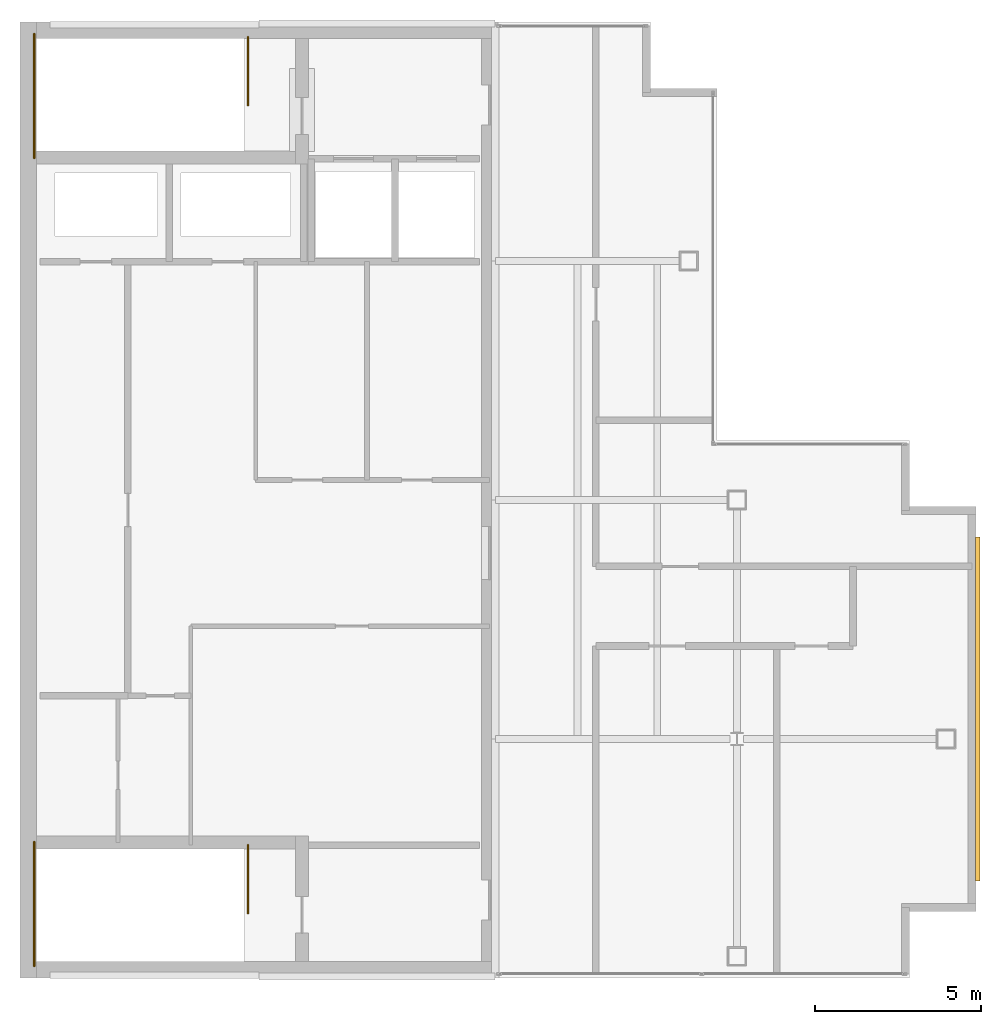
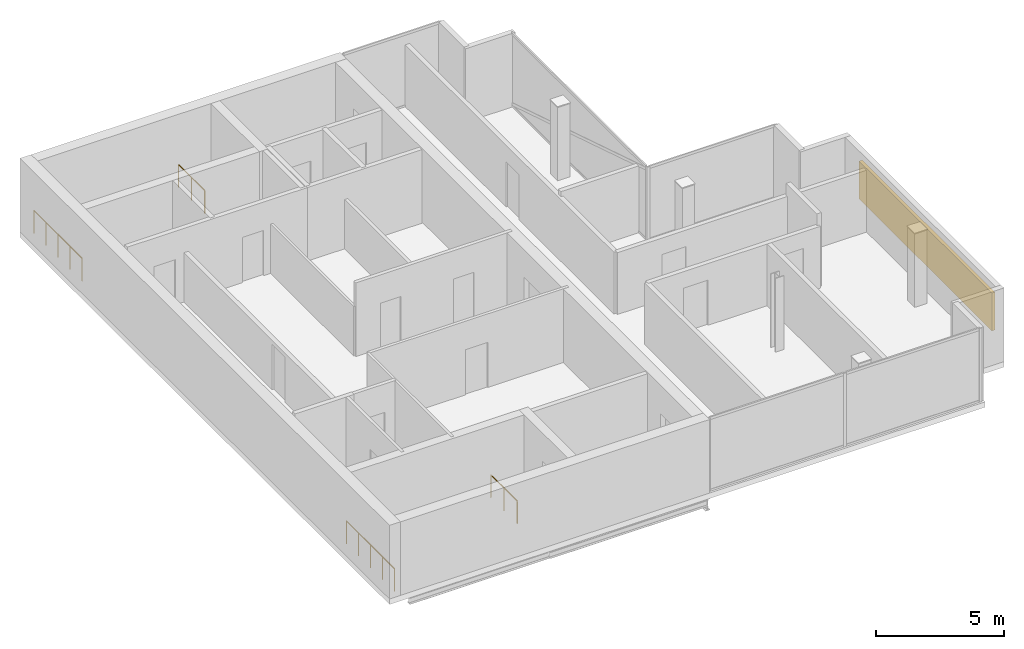
# One storey, part 15 of 15: 4 railings, 1 shading device.
"""IFC4 building model written with IfcOpenShell, lengths in metres."""

import ifcopenshell
import ifcopenshell.guid

model = None  # the IFC model being written
_history = None  # IfcOwnerHistory: only IFC2X3 demands one
_inside = {}  # id of a spatial element -> (the spatial element, [elements in it])
_under = {}  # id of a project, library or spatial element -> (it, [spatial elements below it])
_declared = {}  # id of a project -> (the project, [libraries it declares])
_typed = {}  # id of a type object -> (the type object, [elements of that type])
_made_of = {}  # id of a material, layer set ... -> (it, [elements and type objects made of it])


def new_model(schema):
    """Start an empty IFC model of exactly this schema.

    Asked for "IFC4X3", IfcOpenShell would pick the latest addendum, in which some entities
    have other attributes; the version numbers below select the first issue.
    IFC2X3 requires an IfcOwnerHistory on every rooted entity: one is made here for all.
    """
    global model, _history
    if schema == "IFC4X3":
        model = ifcopenshell.file(schema_version=(4, 3, 0, 0))
    else:
        model = ifcopenshell.file(schema=schema)
    _inside.clear()
    _under.clear()
    _declared.clear()
    _typed.clear()
    _made_of.clear()
    _history = None
    if model.schema == "IFC2X3":
        org = make("IfcOrganization", Name="unknown")
        user = make(
            "IfcPersonAndOrganization",
            ThePerson=make("IfcPerson", FamilyName="unknown"),
            TheOrganization=org,
        )
        app = make(
            "IfcApplication",
            ApplicationDeveloper=org,
            Version="unknown",
            ApplicationFullName="unknown",
            ApplicationIdentifier="unknown",
        )
        _history = make(
            "IfcOwnerHistory",
            OwningUser=user,
            OwningApplication=app,
            ChangeAction="ADDED",
            CreationDate=0,
        )
    return model


def make(cls, **values):
    """One entity of the class cls with the attributes given. An attribute that is None is left unset."""
    return model.create_entity(
        cls, **{name: value for name, value in values.items() if value is not None}
    )


def rooted(cls, **values):
    """An entity with a GlobalId (a new one), such as an element, a storey or a relation."""
    return make(cls, GlobalId=ifcopenshell.guid.new(), OwnerHistory=_history, **values)


def si_unit(unit_type, name, prefix=None):
    """IfcSIUnit, for example si_unit("LENGTHUNIT", "METRE", prefix="MILLI")."""
    return make("IfcSIUnit", UnitType=unit_type, Prefix=prefix, Name=name)


def assignment(units):
    """IfcUnitAssignment: the units of a project."""
    return None if units is None else make("IfcUnitAssignment", Units=units)


def point(xyz):
    """IfcCartesianPoint."""
    return None if xyz is None else make("IfcCartesianPoint", Coordinates=xyz)


def direction(xyz):
    """IfcDirection."""
    return None if xyz is None else make("IfcDirection", DirectionRatios=xyz)


def frame(location, z_axis=None, x_axis=None):
    """IfcAxis2Placement3D, a coordinate frame: its origin and axes. An axis left out is left unset."""
    return make(
        "IfcAxis2Placement3D",
        Location=point(location),
        Axis=direction(z_axis),
        RefDirection=direction(x_axis),
    )


def frame_2d(location, x_axis=None):
    """IfcAxis2Placement2D, a coordinate frame in the plane: its origin and x axis."""
    return make(
        "IfcAxis2Placement2D", Location=point(location), RefDirection=direction(x_axis)
    )


def origin():
    """The frame at (0, 0, 0) with its axes left unset."""
    return frame((0.0, 0.0, 0.0))


def origin_2d():
    """The frame at (0, 0) in the plane with its x axis left unset."""
    return frame_2d((0.0, 0.0))


def place(relative_to, where):
    """IfcLocalPlacement: puts the frame where relative to a parent placement (None: the world)."""
    return make(
        "IfcLocalPlacement", PlacementRelTo=relative_to, RelativePlacement=where
    )


def context(
    kind, dimensions, precision=None, world=None, true_north=None, identifier=None
):
    """IfcGeometricRepresentationContext, for example the 3D "Model" context."""
    return make(
        "IfcGeometricRepresentationContext",
        ContextIdentifier=identifier,
        ContextType=kind,
        CoordinateSpaceDimension=dimensions,
        Precision=precision,
        WorldCoordinateSystem=world,
        TrueNorth=true_north,
    )


def subcontext(parent, identifier, kind, view, scale=None):
    """IfcGeometricRepresentationSubContext, for example "Body" below "Model"."""
    return make(
        "IfcGeometricRepresentationSubContext",
        ContextIdentifier=identifier,
        ContextType=kind,
        ParentContext=parent,
        TargetScale=scale,
        TargetView=view,
    )


def project(units=None, contexts=None):
    """IfcProject with its units and contexts."""
    return rooted(
        "IfcProject",
        Name="project",
        RepresentationContexts=contexts,
        UnitsInContext=assignment(units),
    )


def spatial(cls, under=None, at=None, **own):
    """A site, building, storey or space (cls), placed at a placement, below another one or the project."""
    s = rooted(cls, ObjectPlacement=at, **own)
    if under is not None:
        _under.setdefault(under.id(), (under, []))[1].append(s)
    return s


def polyline(points):
    """IfcPolyline through the points."""
    return make("IfcPolyline", Points=[point(p) for p in points])


def profile(cls, at=None, kind="AREA", **sizes):
    """A parametric profile (cls). Its sizes go by their IFC names, for example OverallWidth=200.0."""
    return make(cls, ProfileType=kind, Position=at, **sizes)


def circle(**sizes):
    """IfcCircleProfileDef."""
    return profile("IfcCircleProfileDef", **sizes)


def outline(outer, holes=None, kind="AREA"):
    """IfcArbitraryClosedProfileDef: a profile drawn as a closed curve; with holes, ...WithVoids."""
    if holes is None:
        return make("IfcArbitraryClosedProfileDef", ProfileType=kind, OuterCurve=outer)
    return make(
        "IfcArbitraryProfileDefWithVoids",
        ProfileType=kind,
        OuterCurve=outer,
        InnerCurves=holes,
    )


def extrude(swept, where, along, depth):
    """IfcExtrudedAreaSolid: the profile swept, set in the frame where, extruded along a direction by depth."""
    return make(
        "IfcExtrudedAreaSolid",
        SweptArea=swept,
        Position=where,
        ExtrudedDirection=direction(along),
        Depth=depth,
    )


def shape(context_of_items, identifier, shape_type, items):
    """IfcShapeRepresentation: the items that make up one representation, for example the "Body"."""
    return make(
        "IfcShapeRepresentation",
        ContextOfItems=context_of_items,
        RepresentationIdentifier=identifier,
        RepresentationType=shape_type,
        Items=items,
    )


def material(Name=None, Category=None):
    """IfcMaterial."""
    return make("IfcMaterial", Name=Name, Category=Category)


def layer(
    of_material, thickness, ventilated=None, Name=None, Category=None, Priority=None
):
    """IfcMaterialLayer: one layer of a wall or slab, of a material (None: an air gap)."""
    return make(
        "IfcMaterialLayer",
        Material=of_material,
        LayerThickness=thickness,
        IsVentilated=ventilated,
        Name=Name,
        Category=Category,
        Priority=Priority,
    )


def layer_set(layers, Name=None):
    """IfcMaterialLayerSet."""
    return make("IfcMaterialLayerSet", MaterialLayers=layers, LayerSetName=Name)


def made_of(thing, what):
    """Note that an element or type object is made of a material, layer set ...; save() writes the relation."""
    if what is not None:
        _made_of.setdefault(what.id(), (what, []))[1].append(thing)
    return thing


def type_object(cls, material=None, **own):
    """A type object (cls), such as IfcWallType, which elements share."""
    return made_of(rooted(cls, **own), material)


def element(
    cls,
    number,
    at=None,
    inside=None,
    cuts=None,
    type_object=None,
    material=None,
    context=None,
    identifier="Body",
    shape_type=None,
    held_by="IfcProductDefinitionShape",
    body=None,
    shapes=None,
    **own,
):
    """One element of the class cls, such as IfcWall. Its Tag is "e" and its number.

    at: its placement. inside: the storey or other place that contains it. cuts: it is an
    opening in that element (IfcRelVoidsElement). A single representation is given by context,
    identifier, shape_type and body (its items); several are given by shapes. held_by: the class
    of the entity that holds the representations. save() writes the other relations.
    """
    e = rooted(cls, Tag="e%d" % number, ObjectPlacement=at, **own)
    if body is not None:
        shapes = [shape(context, identifier, shape_type, body)]
    if shapes is not None:
        e.Representation = make(held_by, Representations=shapes)
    if inside is not None:
        _inside.setdefault(inside.id(), (inside, []))[1].append(e)
    if cuts is not None:
        rooted(
            "IfcRelVoidsElement", RelatingBuildingElement=cuts, RelatedOpeningElement=e
        )
    if type_object is not None:
        _typed.setdefault(type_object.id(), (type_object, []))[1].append(e)
    return made_of(e, material)


def aggregate(whole, parts):
    """IfcRelAggregates: a whole, such as a stair, and the parts it consists of."""
    return rooted("IfcRelAggregates", RelatingObject=whole, RelatedObjects=parts)


def save(model, path):
    """Write the relations noted so far, then the file.

    IfcRelAggregates (storeys below a building ...), IfcRelContainedInSpatialStructure (elements
    in a storey), IfcRelDefinesByType, IfcRelAssociatesMaterial and IfcRelDeclares: one each for
    every whole, place, type object, material and project.
    """
    for whole, parts in _under.values():
        aggregate(whole, parts)
    for where, things in _inside.values():
        rooted(
            "IfcRelContainedInSpatialStructure",
            RelatedElements=things,
            RelatingStructure=where,
        )
    for kind, things in _typed.values():
        rooted("IfcRelDefinesByType", RelatedObjects=things, RelatingType=kind)
    for what, things in _made_of.values():
        rooted("IfcRelAssociatesMaterial", RelatedObjects=things, RelatingMaterial=what)
    for by, libraries in _declared.values():
        rooted("IfcRelDeclares", RelatingContext=by, RelatedDefinitions=libraries)
    model.write(path)


model = new_model("IFC4")

# Units and contexts
model_context = context("Model", 3, precision=1e-05, world=origin(), true_north=direction((0.0, 1.0)))
body_context = subcontext(model_context, "Body", "Model", "MODEL_VIEW")
ifc_project = project(units=[si_unit("LENGTHUNIT", "METRE"), si_unit("AREAUNIT", "SQUARE_METRE"), si_unit("VOLUMEUNIT", "CUBIC_METRE"), si_unit("PLANEANGLEUNIT", "RADIAN"), si_unit("MASSUNIT", "GRAM", prefix="KILO")], contexts=[model_context])

# Site, building, storey
site_placement = place(None, origin())
site = spatial("IfcSite", under=ifc_project, at=site_placement, CompositionType="ELEMENT")
building_placement = place(site_placement, origin())
building = spatial("IfcBuilding", under=site, at=building_placement, Name="Cobrela Telecom Tower", CompositionType="ELEMENT")
storey_placement = place(building_placement, frame((0.0, 0.0, 301.35009765625)))
storey = spatial("IfcBuildingStorey", under=building, at=storey_placement, Name="L79", CompositionType="ELEMENT", Elevation=301.35009765625)

# Railings
ifc_material_1 = material(Name="Steel ASTM A36", Category="steel")
railing_type = type_object("IfcRailingType", Name="RAIL-GUARD-1100", PredefinedType="GUARDRAIL", material=ifc_material_1)
railing_1_placement = place(storey_placement, frame((6.8701171875, 35.550048828125, 0.0)))
element("IfcRailing", 1, at=railing_1_placement, inside=storey, type_object=railing_type, Name="L79 ST1 top well guard 1", PredefinedType="GUARDRAIL", context=body_context, shape_type="SweptSolid", body=[
    extrude(circle(Radius=0.02392578125, at=origin_2d()), frame((0.0, 0.0, 1.076171875), z_axis=(0.0, -1.0, 0.0), x_axis=(1.0, 0.0, 0.0)), (0.0, 0.0, 1.0), 2.050048828125),
    extrude(circle(Radius=0.02099609375, at=origin_2d()), origin(), (0.0, 0.0, 1.0), 1.052001953125),
    extrude(circle(Radius=0.02099609375, at=origin_2d()), frame((0.0, -1.02490234375, 0.0)), (0.0, 0.0, 1.0), 1.052001953125),
    extrude(circle(Radius=0.02099609375, at=origin_2d()), frame((0.0, -2.050048828125, 0.0)), (0.0, 0.0, 1.0), 1.052001953125),
])
railing_2_placement = place(storey_placement, frame((0.429931640625, 35.64990234375, 0.0)))
element("IfcRailing", 2, at=railing_2_placement, inside=storey, type_object=railing_type, Name="L79 ST1 top well guard 2", PredefinedType="GUARDRAIL", context=body_context, shape_type="SweptSolid", body=[
    extrude(circle(Radius=0.02392578125, at=origin_2d()), frame((0.0, 0.0, 1.076171875), z_axis=(0.0, -1.0, 0.0), x_axis=(1.0, 0.0, 0.0)), (0.0, 0.0, 1.0), 3.75),
    extrude(circle(Radius=0.02099609375, at=origin_2d()), origin(), (0.0, 0.0, 1.0), 1.052001953125),
    extrude(circle(Radius=0.02099609375, at=origin_2d()), frame((0.0, -0.9375, 0.0)), (0.0, 0.0, 1.0), 1.052001953125),
    extrude(circle(Radius=0.02099609375, at=origin_2d()), frame((0.0, -1.875, 0.0)), (0.0, 0.0, 1.0), 1.052001953125),
    extrude(circle(Radius=0.02099609375, at=origin_2d()), frame((0.0, -2.8125, 0.0)), (0.0, 0.0, 1.0), 1.052001953125),
    extrude(circle(Radius=0.02099609375, at=origin_2d()), frame((0.0, -3.75, 0.0)), (0.0, 0.0, 1.0), 1.052001953125),
])
railing_3_placement = place(storey_placement, frame((6.8701171875, 11.199951171875, 0.0)))
element("IfcRailing", 3, at=railing_3_placement, inside=storey, type_object=railing_type, Name="L79 ST2 top well guard 1", PredefinedType="GUARDRAIL", context=body_context, shape_type="SweptSolid", body=[
    extrude(circle(Radius=0.02392578125, at=origin_2d()), frame((0.0, 0.0, 1.076171875), z_axis=(0.0, -1.0, 0.0), x_axis=(1.0, 0.0, 0.0)), (0.0, 0.0, 1.0), 2.050048828125),
    extrude(circle(Radius=0.02099609375, at=origin_2d()), origin(), (0.0, 0.0, 1.0), 1.052001953125),
    extrude(circle(Radius=0.02099609375, at=origin_2d()), frame((0.0, -1.02490234375, 0.0)), (0.0, 0.0, 1.0), 1.052001953125),
    extrude(circle(Radius=0.02099609375, at=origin_2d()), frame((0.0, -2.050048828125, 0.0)), (0.0, 0.0, 1.0), 1.052001953125),
])
railing_4_placement = place(storey_placement, frame((0.429931640625, 11.300048828125, 0.0)))
element("IfcRailing", 4, at=railing_4_placement, inside=storey, type_object=railing_type, Name="L79 ST2 top well guard 2", PredefinedType="GUARDRAIL", context=body_context, shape_type="SweptSolid", body=[
    extrude(circle(Radius=0.02392578125, at=origin_2d()), frame((0.0, 0.0, 1.076171875), z_axis=(0.0, -1.0, 0.0), x_axis=(1.0, 0.0, 0.0)), (0.0, 0.0, 1.0), 3.75),
    extrude(circle(Radius=0.02099609375, at=origin_2d()), origin(), (0.0, 0.0, 1.0), 1.052001953125),
    extrude(circle(Radius=0.02099609375, at=origin_2d()), frame((0.0, -0.9375, 0.0)), (0.0, 0.0, 1.0), 1.052001953125),
    extrude(circle(Radius=0.02099609375, at=origin_2d()), frame((0.0, -1.875, 0.0)), (0.0, 0.0, 1.0), 1.052001953125),
    extrude(circle(Radius=0.02099609375, at=origin_2d()), frame((0.0, -2.8125, 0.0)), (0.0, 0.0, 1.0), 1.052001953125),
    extrude(circle(Radius=0.02099609375, at=origin_2d()), frame((0.0, -3.75, 0.0)), (0.0, 0.0, 1.0), 1.052001953125),
])

# Shading device
ifc_material_2 = material(Name="Anodized Bronze Aluminium 6063-T6", Category="aluminium")
ifc_layer = layer(ifc_material_2, 0.159912109375)
ifc_layer_set = layer_set([ifc_layer], Name="Anodized Bronze Aluminium 6063-T6")
shading_device_type = type_object("IfcShadingDeviceType", Name="SHD-LOUVRE-BRZ", PredefinedType="JALOUSIE", material=ifc_layer_set)
shading_device_placement = place(storey_placement, frame((0.0, 0.0, 0.89990234375)))
element("IfcShadingDevice", 5, at=shading_device_placement, inside=storey, type_object=shading_device_type, Name="L79 Crown Cooling Tower Bronze Louvre 13", PredefinedType="JALOUSIE", context=body_context, shape_type="SweptSolid", body=[
    extrude(outline(polyline([(28.7900390625, 20.47998046875), (28.7900390625, 10.1201171875), (28.929931640625, 10.1201171875), (28.929931640625, 20.47998046875), (28.7900390625, 20.47998046875)])), origin(), (0.0, 0.0, 1.0), 1.800048828125),
])

save(model, "model.ifc")
